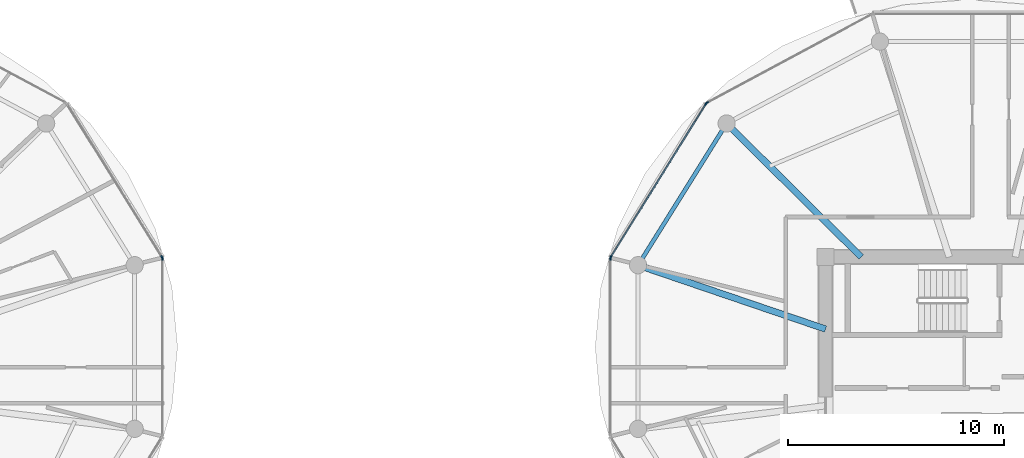
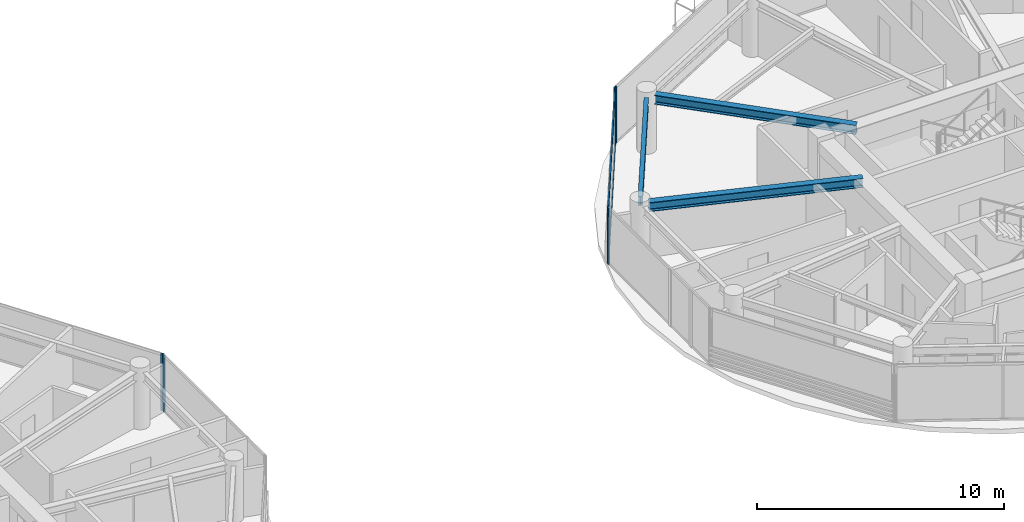
# One storey, part 7 of 23: 8 members, 3 beams, 5 elements without a shape of their own.
"""IFC4 building model written with IfcOpenShell, lengths in metres."""

from ifc_helpers import new_model, si_unit, direction, frame, origin, origin_2d, place, context, subcontext, project, spatial, rectangle, i_section, extrude, source, transform, mapped, material, layer, layer_set, material_profile, profile_set, type_object, type_shapes, element, aggregate, save


model = new_model("IFC4")

# Units and contexts
model_context = context("Model", 3, precision=1e-05, world=origin(), true_north=direction((0.0, 1.0)))
body_context = subcontext(model_context, "Body", "Model", "MODEL_VIEW")
ifc_project = project(units=[si_unit("LENGTHUNIT", "METRE"), si_unit("AREAUNIT", "SQUARE_METRE"), si_unit("VOLUMEUNIT", "CUBIC_METRE"), si_unit("PLANEANGLEUNIT", "RADIAN"), si_unit("MASSUNIT", "GRAM", prefix="KILO")], contexts=[model_context])

# Site, building, storey
site_placement = place(None, origin())
site = spatial("IfcSite", under=ifc_project, at=site_placement, CompositionType="ELEMENT")
building_placement = place(site_placement, origin())
building = spatial("IfcBuilding", under=site, at=building_placement, Name="Norrkilde Senior Care Towers", CompositionType="ELEMENT")
storey_placement = place(building_placement, frame((0.0, 0.0, 173.949951171875)))
storey = spatial("IfcBuildingStorey", under=building, at=storey_placement, Name="L54", CompositionType="ELEMENT", Elevation=173.949951171875)

# Beams
ifc_material_1 = material(Name="Steel S355", Category="steel")
ifc_material_profile_1 = material_profile(ifc_material_1, i_section(OverallWidth=0.18994140625, OverallDepth=0.449951171875, WebThickness=0.009521484375, FlangeThickness=0.0146484375, FilletRadius=0.02099609375, at=origin_2d()), Name="IPE 450")
ifc_profile_set_1 = profile_set([ifc_material_profile_1], Name="Steel S355")
beam_type_1 = type_object("IfcBeamType", Name="Perimeter Ring Spandrel Z3 IPE450", PredefinedType="SPANDREL", material=ifc_profile_set_1)
shared_shape_1 = source(origin(), body_context, "Body", "SweptSolid", [
    extrude(i_section(OverallWidth=0.18994140625, OverallDepth=0.449951171875, WebThickness=0.009521484375, FlangeThickness=0.0146484375, FilletRadius=0.02099609375, at=origin_2d()), origin(), (0.0, 0.0, 1.0), 7.0234375),
])
type_shapes(beam_type_1, [shared_shape_1])
beam_1_placement = place(storey_placement, frame((15.57666015625, 11.8291015625, 2.5849609375), z_axis=(-0.529789577822, -0.848129119433, 0.0), x_axis=(0.848129119433, -0.529789577822, 0.0)))
element("IfcBeam", 1, at=beam_1_placement, inside=storey, type_object=beam_type_1, Name="L54 Drum E Perimeter Spandrel 05", PredefinedType="SPANDREL", context=body_context, shape_type="MappedRepresentation", body=[
    mapped(shared_shape_1, transform((0.0, 0.0, 0.0), x_axis=(1.0, 0.0, 0.0), y_axis=(0.0, 1.0, 0.0), z_axis=(0.0, 0.0, 1.0), scale=1.0)),
])
ifc_material_profile_2 = material_profile(ifc_material_1, i_section(OverallWidth=0.300048828125, OverallDepth=0.449951171875, WebThickness=0.013916015625, FlangeThickness=0.02587890625, FilletRadius=0.027099609375, at=origin_2d()), Name="HEB 450")
ifc_profile_set_2 = profile_set([ifc_material_profile_2], Name="Steel S355")
beam_type_2 = type_object("IfcBeamType", Name="Radial Floor Beam Z3 HEB450", PredefinedType="BEAM", material=ifc_profile_set_2)
shared_shape_2 = source(origin(), body_context, "Body", "SweptSolid", [
    extrude(i_section(OverallWidth=0.300048828125, OverallDepth=0.449951171875, WebThickness=0.013916015625, FlangeThickness=0.02587890625, FilletRadius=0.027099609375, at=origin_2d()), origin(), (0.0, 0.0, 1.0), 8.8154296875),
])
beam_2_placement = place(storey_placement, frame((20.35009765625, 2.607177734375, 2.5849609375), z_axis=(-0.946540556878, 0.322584832539, 0.0), x_axis=(-0.322584832539, -0.946540556878, 0.0)))
element("IfcBeam", 2, at=beam_2_placement, inside=storey, type_object=beam_type_2, Name="L54 Drum E Radial Floor Beam 06", PredefinedType="BEAM", context=body_context, shape_type="MappedRepresentation", body=[
    mapped(shared_shape_2, transform((0.0, 0.0, 0.0), x_axis=(1.0, 0.0, 0.0), y_axis=(0.0, 1.0, 0.0), z_axis=(0.0, 0.0, 1.0), scale=1.0)),
])
shared_shape_3 = source(origin(), body_context, "Body", "SweptSolid", [
    extrude(i_section(OverallWidth=0.300048828125, OverallDepth=0.449951171875, WebThickness=0.013916015625, FlangeThickness=0.02587890625, FilletRadius=0.027099609375, at=origin_2d()), origin(), (0.0, 0.0, 1.0), 8.421630859375),
])
type_shapes(beam_type_2, [shared_shape_2, shared_shape_3])
beam_3_placement = place(storey_placement, frame((22.001953125, 5.949951171875, 2.5849609375), z_axis=(-0.709956495972, 0.704245535184, 0.0), x_axis=(-0.704245535184, -0.709956495972, 0.0)))
element("IfcBeam", 3, at=beam_3_placement, inside=storey, type_object=beam_type_2, Name="L54 Drum E Radial Floor Beam 05", PredefinedType="BEAM", context=body_context, shape_type="MappedRepresentation", body=[
    mapped(shared_shape_3, transform((0.0, 0.0, 0.0), x_axis=(1.0, 0.0, 0.0), y_axis=(0.0, 1.0, 0.0), z_axis=(0.0, 0.0, 1.0), scale=1.0)),
])

# Curtain wall, member
ifc_material_2 = material(Name="Triple Low-E Insulated Glazing", Category="glass")
ifc_layer = layer(ifc_material_2, 0.18994140625)
ifc_layer_set = layer_set([ifc_layer], Name="Triple Low-E Insulated Glazing")
curtain_wall_type = type_object("IfcCurtainWallType", Name="CW4 Zone 3 Senior Residence Curtain Wall", PredefinedType="NOTDEFINED", material=ifc_layer_set)
curtain_wall_1_placement = place(storey_placement, origin())
curtain_wall_1 = element("IfcCurtainWall", 4, at=curtain_wall_1_placement, inside=storey, type_object=curtain_wall_type, Name="L54 Drum W Curtain Wall 00", PredefinedType="NOTDEFINED")
ifc_material_3 = material(Name="Anodised Aluminium", Category="aluminium")
ifc_material_profile_3 = material_profile(ifc_material_3, rectangle(XDim=0.06494140625, YDim=0.14990234375, at=origin_2d()), Name="ALU MULL 65x150")
ifc_profile_set_3 = profile_set([ifc_material_profile_3], Name="Anodised Aluminium")
member_type_1 = type_object("IfcMemberType", Name="Curtain Wall Mullion Z3-Z4 65x150", PredefinedType="MULLION", material=ifc_profile_set_3)
shared_shape_4 = source(origin(), body_context, "Body", "SweptSolid", [
    extrude(rectangle(XDim=0.06494140625, YDim=0.14990234375, at=origin_2d()), origin(), (0.0, 0.0, 1.0), 2.81005859375),
])
type_shapes(member_type_1, [shared_shape_4])
member_1_placement = place(storey_placement, frame((-10.3974609375, 5.93896484375, 0.0), z_axis=(0.0, 0.0, 1.0), x_axis=(0.84963405474, 0.52737270789, 0.0)))
member_1 = element("IfcMember", 5, at=member_1_placement, type_object=member_type_1, Name="CW-4 mullion 2", PredefinedType="MULLION", context=body_context, shape_type="MappedRepresentation", body=[
    mapped(shared_shape_4, transform((0.0, 0.0, 0.0), x_axis=(1.0, 0.0, 0.0), y_axis=(0.0, 1.0, 0.0), z_axis=(0.0, 0.0, 1.0), scale=1.0)),
])
aggregate(curtain_wall_1, [member_1])

curtain_wall_2_placement = place(storey_placement, origin())
curtain_wall_2 = element("IfcCurtainWall", 6, at=curtain_wall_2_placement, inside=storey, type_object=curtain_wall_type, Name="L54 Drum W Curtain Wall 11", PredefinedType="NOTDEFINED")
member_2_placement = place(storey_placement, frame((-10.38037109375, 5.878662109375, 0.0), z_axis=(0.0, 0.0, 1.0), x_axis=(1.0, 0.0, 0.0)))
member_2 = element("IfcMember", 7, at=member_2_placement, type_object=member_type_1, Name="CW-4 mullion 1", PredefinedType="MULLION", context=body_context, shape_type="MappedRepresentation", body=[
    mapped(shared_shape_4, transform((0.0, 0.0, 0.0), x_axis=(1.0, 0.0, 0.0), y_axis=(0.0, 1.0, 0.0), z_axis=(0.0, 0.0, 1.0), scale=1.0)),
])
aggregate(curtain_wall_2, [member_2])

curtain_wall_3_placement = place(storey_placement, origin())
curtain_wall_3 = element("IfcCurtainWall", 8, at=curtain_wall_3_placement, inside=storey, type_object=curtain_wall_type, Name="L54 Drum E Curtain Wall 03", PredefinedType="NOTDEFINED")
member_3_placement = place(storey_placement, frame((14.85546875, 13.09033203125, 0.0), z_axis=(0.0, 0.0, 1.0), x_axis=(-0.47311715104, 0.880999524059, 0.0)))
member_3 = element("IfcMember", 9, at=member_3_placement, type_object=member_type_1, Name="CW-4 mullion 1", PredefinedType="MULLION", context=body_context, shape_type="MappedRepresentation", body=[
    mapped(shared_shape_4, transform((0.0, 0.0, 0.0), x_axis=(1.0, 0.0, 0.0), y_axis=(0.0, 1.0, 0.0), z_axis=(0.0, 0.0, 1.0), scale=1.0)),
])
aggregate(curtain_wall_3, [member_3])

# Curtain wall, members
curtain_wall_4_placement = place(storey_placement, origin())
curtain_wall_4 = element("IfcCurtainWall", 10, at=curtain_wall_4_placement, inside=storey, type_object=curtain_wall_type, Name="L54 Drum E Curtain Wall 04", PredefinedType="NOTDEFINED")
member_4_placement = place(storey_placement, frame((10.3974609375, 5.93896484375, 0.0), z_axis=(0.0, 0.0, 1.0), x_axis=(-0.84963405474, 0.52737270789, 0.0)))
member_4 = element("IfcMember", 11, at=member_4_placement, type_object=member_type_1, Name="CW-4 mullion 1", PredefinedType="MULLION", context=body_context, shape_type="MappedRepresentation", body=[
    mapped(shared_shape_4, transform((0.0, 0.0, 0.0), x_axis=(1.0, 0.0, 0.0), y_axis=(0.0, 1.0, 0.0), z_axis=(0.0, 0.0, 1.0), scale=1.0)),
])
member_5_placement = place(storey_placement, frame((14.809814453125, 13.04736328125, 0.0), z_axis=(0.0, 0.0, 1.0), x_axis=(-0.84963405474, 0.52737270789, 0.0)))
member_5 = element("IfcMember", 12, at=member_5_placement, type_object=member_type_1, Name="CW-4 mullion 2", PredefinedType="MULLION", context=body_context, shape_type="MappedRepresentation", body=[
    mapped(shared_shape_4, transform((0.0, 0.0, 0.0), x_axis=(1.0, 0.0, 0.0), y_axis=(0.0, 1.0, 0.0), z_axis=(0.0, 0.0, 1.0), scale=1.0)),
])

# Curtain wall, member
curtain_wall_5_placement = place(storey_placement, origin())
curtain_wall_5 = element("IfcCurtainWall", 13, at=curtain_wall_5_placement, inside=storey, type_object=curtain_wall_type, Name="L54 Drum E Curtain Wall 05", PredefinedType="NOTDEFINED")
member_6_placement = place(storey_placement, frame((10.38037109375, 5.878662109375, 0.0), z_axis=(0.0, 0.0, 1.0), x_axis=(-1.0, 0.0, 0.0)))
member_6 = element("IfcMember", 14, at=member_6_placement, type_object=member_type_1, Name="CW-4 mullion 2", PredefinedType="MULLION", context=body_context, shape_type="MappedRepresentation", body=[
    mapped(shared_shape_4, transform((0.0, 0.0, 0.0), x_axis=(1.0, 0.0, 0.0), y_axis=(0.0, 1.0, 0.0), z_axis=(0.0, 0.0, 1.0), scale=1.0)),
])
aggregate(curtain_wall_5, [member_6])

# Member
ifc_material_profile_4 = material_profile(ifc_material_3, rectangle(XDim=0.06005859375, YDim=0.1201171875, at=origin_2d()), Name="ALU TRAN 60x120")
ifc_profile_set_4 = profile_set([ifc_material_profile_4], Name="Anodised Aluminium")
member_type_2 = type_object("IfcMemberType", Name="Curtain Wall Transom Typical 60x120", PredefinedType="USERDEFINED", material=ifc_profile_set_4)
shared_shape_5 = source(origin(), body_context, "Body", "SweptSolid", [
    extrude(rectangle(XDim=0.06005859375, YDim=0.1201171875, at=origin_2d()), origin(), (0.0, 0.0, 1.0), 8.301513671875),
])
type_shapes(member_type_2, [shared_shape_5])
member_7_placement = place(storey_placement, frame((10.414794921875, 5.966552734375, 0.030029296875), z_axis=(0.527368718394, 0.849636531029, 0.0), x_axis=(-0.849636531029, 0.527368718394, 0.0)))
member_7 = element("IfcMember", 15, at=member_7_placement, type_object=member_type_2, Name="CW-4 transom 1.1", ObjectType="TRANSOM", PredefinedType="USERDEFINED", context=body_context, shape_type="MappedRepresentation", body=[
    mapped(shared_shape_5, transform((0.0, 0.0, 0.0), x_axis=(1.0, 0.0, 0.0), y_axis=(0.0, 1.0, 0.0), z_axis=(0.0, 0.0, 1.0), scale=1.0)),
])

member_8_placement = place(storey_placement, frame((10.414794921875, 5.966552734375, 2.780029296875), z_axis=(0.527368718394, 0.849636531029, 0.0), x_axis=(-0.849636531029, 0.527368718394, 0.0)))
member_8 = element("IfcMember", 16, at=member_8_placement, type_object=member_type_2, Name="CW-4 transom 1.2", ObjectType="TRANSOM", PredefinedType="USERDEFINED", context=body_context, shape_type="MappedRepresentation", body=[
    mapped(shared_shape_5, transform((0.0, 0.0, 0.0), x_axis=(1.0, 0.0, 0.0), y_axis=(0.0, 1.0, 0.0), z_axis=(0.0, 0.0, 1.0), scale=1.0)),
])

aggregate(curtain_wall_4, [member_4, member_5, member_7, member_8])

save(model, "model.ifc")
